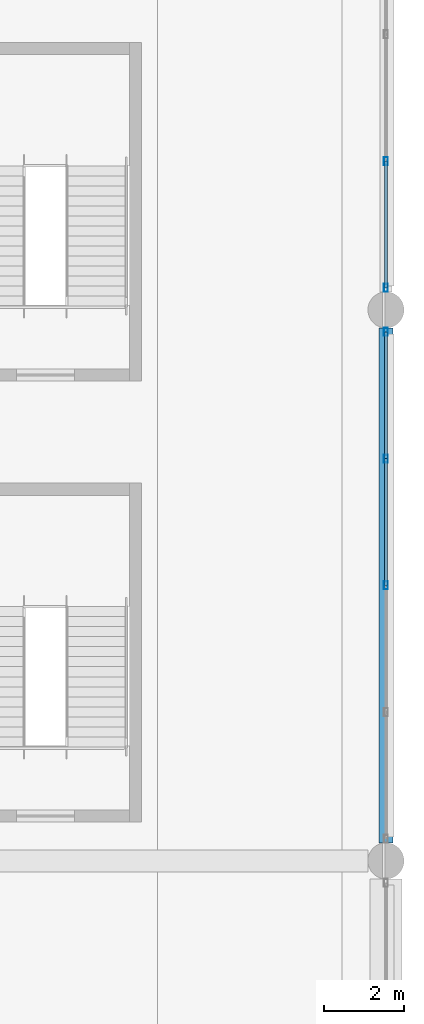
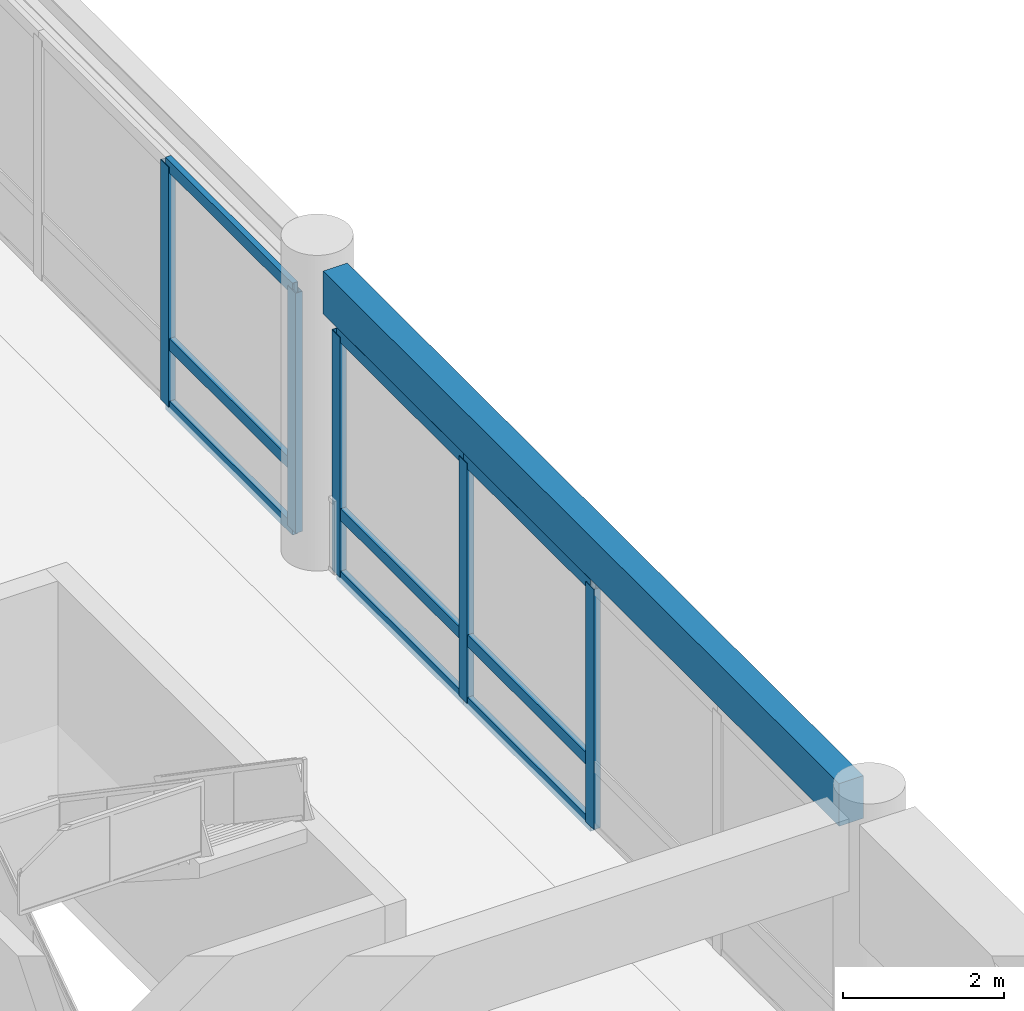
# One storey, part 40 of 91: 14 members, 1 beam, 2 elements without a shape of their own.
"""IFC4 building model written with IfcOpenShell, lengths in metres."""

from ifc_helpers import new_model, si_unit, direction, frame, origin, origin_2d, place, context, subcontext, project, spatial, rectangle, hollow_rectangle, extrude, material, material_profile, profile_set, type_object, element, aggregate, save


model = new_model("IFC4")

# Units and contexts
model_context = context("Model", 3, precision=1e-05, world=origin(), true_north=direction((0.0, 1.0)))
body_context = subcontext(model_context, "Body", "Model", "MODEL_VIEW")
ifc_project = project(units=[si_unit("LENGTHUNIT", "METRE"), si_unit("AREAUNIT", "SQUARE_METRE"), si_unit("VOLUMEUNIT", "CUBIC_METRE"), si_unit("PLANEANGLEUNIT", "RADIAN"), si_unit("MASSUNIT", "GRAM", prefix="KILO")], contexts=[model_context])

# Site, building, storey
site_placement = place(None, origin())
site = spatial("IfcSite", under=ifc_project, at=site_placement, CompositionType="ELEMENT")
building_placement = place(site_placement, origin())
building = spatial("IfcBuilding", under=site, at=building_placement, Name="Linyun Crest Stadium", CompositionType="ELEMENT")
storey_placement = place(building_placement, frame((0.0, 0.0, 11.39990234375)))
storey = spatial("IfcBuildingStorey", under=building, at=storey_placement, Name="L03", CompositionType="ELEMENT", Elevation=11.39990234375)

# Beam
ifc_material_1 = material(Name="Concrete C40", Category="concrete")
ifc_material_profile_1 = material_profile(ifc_material_1, rectangle(XDim=0.35009765625, YDim=0.64990234375, at=origin_2d()), Name="RCB 650x350")
ifc_profile_set_1 = profile_set([ifc_material_profile_1], Name="Concrete C40")
beam_type = type_object("IfcBeamType", Name="B02", PredefinedType="BEAM", material=ifc_profile_set_1)
beam_placement = place(storey_placement, frame((98.0, 16.324951171875, 4.255126953125), z_axis=(0.0, 1.0, 0.0), x_axis=(-1.0, 0.0, 0.0)))
element("IfcBeam", 1, at=beam_placement, inside=storey, type_object=beam_type, Name="Frame beam B02 L03 676", PredefinedType="BEAM", context=body_context, shape_type="SweptSolid", body=[
    extrude(rectangle(XDim=0.35009765625, YDim=0.64990234375, at=origin_2d()), origin(), (0.0, 0.0, 1.0), 12.85009765625),
])

# Curtain wall, members
ifc_material_2 = material(Name="Verdigris steel and low-E curtain wall assembly", Category="steel")
curtain_wall_type = type_object("IfcCurtainWallType", Name="MCW02", PredefinedType="NOTDEFINED", material=ifc_material_2)
curtain_wall_1_placement = place(storey_placement, origin())
curtain_wall_1 = element("IfcCurtainWall", 2, at=curtain_wall_1_placement, inside=storey, type_object=curtain_wall_type, Name="CWR-115", PredefinedType="NOTDEFINED")
ifc_material_3 = material(Name="Verdigris painted steel Q355C mullion", Category="steel")
ifc_material_profile_2 = material_profile(ifc_material_3, hollow_rectangle(XDim=0.10009765625, YDim=0.199951171875, WallThickness=0.008056640625, at=origin_2d()), Name="RHS 200x100x8")
ifc_profile_set_2 = profile_set([ifc_material_profile_2], Name="Verdigris painted steel Q355C mullion")
member_type_1 = type_object("IfcMemberType", Name="ML03", PredefinedType="MULLION", material=ifc_profile_set_2)
member_1_placement = place(storey_placement, frame((98.0, 22.75, 0.0), z_axis=(0.0, 0.0, 1.0), x_axis=(-1.0, 0.0, 0.0)))
member_1 = element("IfcMember", 3, at=member_1_placement, type_object=member_type_1, Name="CWR-115 mullion 3", PredefinedType="MULLION", context=body_context, shape_type="SweptSolid", body=[
    extrude(hollow_rectangle(XDim=0.10009765625, YDim=0.199951171875, WallThickness=0.008056640625, at=origin_2d()), origin(), (0.0, 0.0, 1.0), 3.650146484375),
])
member_2_placement = place(storey_placement, frame((98.0, 25.912109375, 0.0), z_axis=(0.0, 0.0, 1.0), x_axis=(-1.0, 0.0, 0.0)))
member_2 = element("IfcMember", 4, at=member_2_placement, type_object=member_type_1, Name="CWR-115 mullion 4", PredefinedType="MULLION", context=body_context, shape_type="SweptSolid", body=[
    extrude(hollow_rectangle(XDim=0.10009765625, YDim=0.199951171875, WallThickness=0.008056640625, at=origin_2d()), origin(), (0.0, 0.0, 1.0), 3.650146484375),
])
member_3_placement = place(storey_placement, frame((98.0, 29.074951171875, 0.0), z_axis=(0.0, 0.0, 1.0), x_axis=(-1.0, 0.0, 0.0)))
member_3 = element("IfcMember", 5, at=member_3_placement, type_object=member_type_1, Name="CWR-115 mullion 5", PredefinedType="MULLION", context=body_context, shape_type="SweptSolid", body=[
    extrude(hollow_rectangle(XDim=0.10009765625, YDim=0.199951171875, WallThickness=0.008056640625, at=origin_2d()), origin(), (0.0, 0.0, 1.0), 3.650146484375),
])

curtain_wall_2_placement = place(storey_placement, origin())
curtain_wall_2 = element("IfcCurtainWall", 6, at=curtain_wall_2_placement, inside=storey, type_object=curtain_wall_type, Name="CWR-124", PredefinedType="NOTDEFINED")
member_4_placement = place(storey_placement, frame((98.0, 30.175048828125, 0.0), z_axis=(0.0, 0.0, 1.0), x_axis=(-1.0, 0.0, 0.0)))
member_4 = element("IfcMember", 7, at=member_4_placement, type_object=member_type_1, Name="CWR-124 mullion 1", PredefinedType="MULLION", context=body_context, shape_type="SweptSolid", body=[
    extrude(hollow_rectangle(XDim=0.10009765625, YDim=0.199951171875, WallThickness=0.008056640625, at=origin_2d()), origin(), (0.0, 0.0, 1.0), 3.650146484375),
])
member_5_placement = place(storey_placement, frame((98.0, 33.337890625, 0.0), z_axis=(0.0, 0.0, 1.0), x_axis=(-1.0, 0.0, 0.0)))
member_5 = element("IfcMember", 8, at=member_5_placement, type_object=member_type_1, Name="CWR-124 mullion 2", PredefinedType="MULLION", context=body_context, shape_type="SweptSolid", body=[
    extrude(hollow_rectangle(XDim=0.10009765625, YDim=0.199951171875, WallThickness=0.008056640625, at=origin_2d()), origin(), (0.0, 0.0, 1.0), 3.650146484375),
])

# Member
ifc_material_4 = material(Name="Verdigris painted steel Q355B transom", Category="steel")
ifc_material_profile_3 = material_profile(ifc_material_4, hollow_rectangle(XDim=0.080078125, YDim=0.179931640625, WallThickness=0.006103515625, at=origin_2d()), Name="RHS 180x80x6")
ifc_profile_set_3 = profile_set([ifc_material_profile_3], Name="Verdigris painted steel Q355B transom")
member_type_2 = type_object("IfcMemberType", Name="TR02", PredefinedType="USERDEFINED", material=ifc_profile_set_3)
member_6_placement = place(storey_placement, frame((98.0, 22.75, 0.0), z_axis=(0.0, 1.0, 0.0), x_axis=(-1.0, 0.0, 0.0)))
member_6 = element("IfcMember", 9, at=member_6_placement, type_object=member_type_2, Name="CWR-115 transom 3.1", ObjectType="TRANSOM", PredefinedType="USERDEFINED", context=body_context, shape_type="SweptSolid", body=[
    extrude(hollow_rectangle(XDim=0.080078125, YDim=0.179931640625, WallThickness=0.006103515625, at=origin_2d()), origin(), (0.0, 0.0, 1.0), 3.162109375),
])

member_7_placement = place(storey_placement, frame((98.0, 22.75, 0.9501953125), z_axis=(0.0, 1.0, 0.0), x_axis=(-1.0, 0.0, 0.0)))
member_7 = element("IfcMember", 10, at=member_7_placement, type_object=member_type_2, Name="CWR-115 transom 3.2", ObjectType="TRANSOM", PredefinedType="USERDEFINED", context=body_context, shape_type="SweptSolid", body=[
    extrude(hollow_rectangle(XDim=0.080078125, YDim=0.179931640625, WallThickness=0.006103515625, at=origin_2d()), origin(), (0.0, 0.0, 1.0), 3.162109375),
])

member_8_placement = place(storey_placement, frame((98.0, 22.75, 3.650146484375), z_axis=(0.0, 1.0, 0.0), x_axis=(-1.0, 0.0, 0.0)))
member_8 = element("IfcMember", 11, at=member_8_placement, type_object=member_type_2, Name="CWR-115 transom 3.3", ObjectType="TRANSOM", PredefinedType="USERDEFINED", context=body_context, shape_type="SweptSolid", body=[
    extrude(hollow_rectangle(XDim=0.080078125, YDim=0.179931640625, WallThickness=0.006103515625, at=origin_2d()), origin(), (0.0, 0.0, 1.0), 3.162109375),
])

member_9_placement = place(storey_placement, frame((98.0, 25.912109375, 0.0), z_axis=(0.0, 1.0, 0.0), x_axis=(-1.0, 0.0, 0.0)))
member_9 = element("IfcMember", 12, at=member_9_placement, type_object=member_type_2, Name="CWR-115 transom 4.1", ObjectType="TRANSOM", PredefinedType="USERDEFINED", context=body_context, shape_type="SweptSolid", body=[
    extrude(hollow_rectangle(XDim=0.080078125, YDim=0.179931640625, WallThickness=0.006103515625, at=origin_2d()), origin(), (0.0, 0.0, 1.0), 3.162841796875),
])

member_10_placement = place(storey_placement, frame((98.0, 25.912109375, 0.9501953125), z_axis=(0.0, 1.0, 0.0), x_axis=(-1.0, 0.0, 0.0)))
member_10 = element("IfcMember", 13, at=member_10_placement, type_object=member_type_2, Name="CWR-115 transom 4.2", ObjectType="TRANSOM", PredefinedType="USERDEFINED", context=body_context, shape_type="SweptSolid", body=[
    extrude(hollow_rectangle(XDim=0.080078125, YDim=0.179931640625, WallThickness=0.006103515625, at=origin_2d()), origin(), (0.0, 0.0, 1.0), 3.162841796875),
])

member_11_placement = place(storey_placement, frame((98.0, 25.912109375, 3.650146484375), z_axis=(0.0, 1.0, 0.0), x_axis=(-1.0, 0.0, 0.0)))
member_11 = element("IfcMember", 14, at=member_11_placement, type_object=member_type_2, Name="CWR-115 transom 4.3", ObjectType="TRANSOM", PredefinedType="USERDEFINED", context=body_context, shape_type="SweptSolid", body=[
    extrude(hollow_rectangle(XDim=0.080078125, YDim=0.179931640625, WallThickness=0.006103515625, at=origin_2d()), origin(), (0.0, 0.0, 1.0), 3.162841796875),
])

aggregate(curtain_wall_1, [member_1, member_2, member_3, member_6, member_7, member_8, member_9, member_10, member_11])

member_12_placement = place(storey_placement, frame((98.0, 30.175048828125, 0.0), z_axis=(0.0, 1.0, 0.0), x_axis=(-1.0, 0.0, 0.0)))
member_12 = element("IfcMember", 15, at=member_12_placement, type_object=member_type_2, Name="CWR-124 transom 1.1", ObjectType="TRANSOM", PredefinedType="USERDEFINED", context=body_context, shape_type="SweptSolid", body=[
    extrude(hollow_rectangle(XDim=0.080078125, YDim=0.179931640625, WallThickness=0.006103515625, at=origin_2d()), origin(), (0.0, 0.0, 1.0), 3.162841796875),
])

member_13_placement = place(storey_placement, frame((98.0, 30.175048828125, 0.9501953125), z_axis=(0.0, 1.0, 0.0), x_axis=(-1.0, 0.0, 0.0)))
member_13 = element("IfcMember", 16, at=member_13_placement, type_object=member_type_2, Name="CWR-124 transom 1.2", ObjectType="TRANSOM", PredefinedType="USERDEFINED", context=body_context, shape_type="SweptSolid", body=[
    extrude(hollow_rectangle(XDim=0.080078125, YDim=0.179931640625, WallThickness=0.006103515625, at=origin_2d()), origin(), (0.0, 0.0, 1.0), 3.162841796875),
])

member_14_placement = place(storey_placement, frame((98.0, 30.175048828125, 3.650146484375), z_axis=(0.0, 1.0, 0.0), x_axis=(-1.0, 0.0, 0.0)))
member_14 = element("IfcMember", 17, at=member_14_placement, type_object=member_type_2, Name="CWR-124 transom 1.3", ObjectType="TRANSOM", PredefinedType="USERDEFINED", context=body_context, shape_type="SweptSolid", body=[
    extrude(hollow_rectangle(XDim=0.080078125, YDim=0.179931640625, WallThickness=0.006103515625, at=origin_2d()), origin(), (0.0, 0.0, 1.0), 3.162841796875),
])

aggregate(curtain_wall_2, [member_4, member_5, member_12, member_13, member_14])

save(model, "model.ifc")
